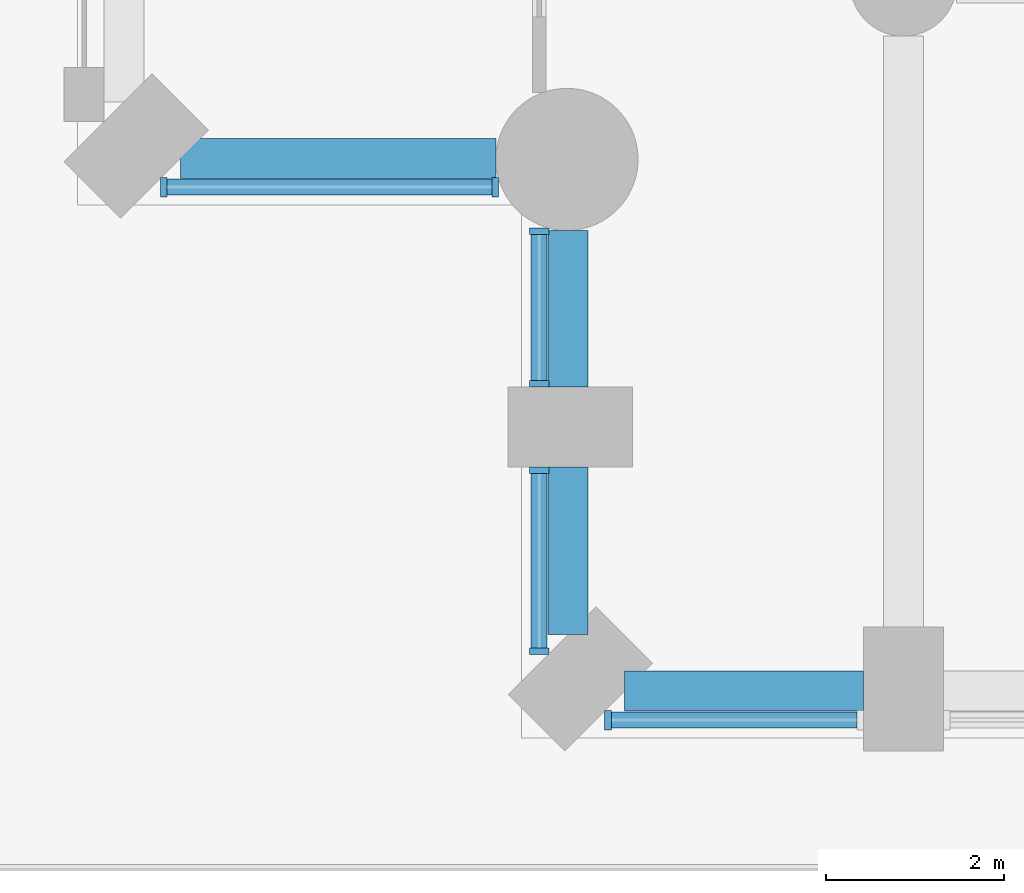
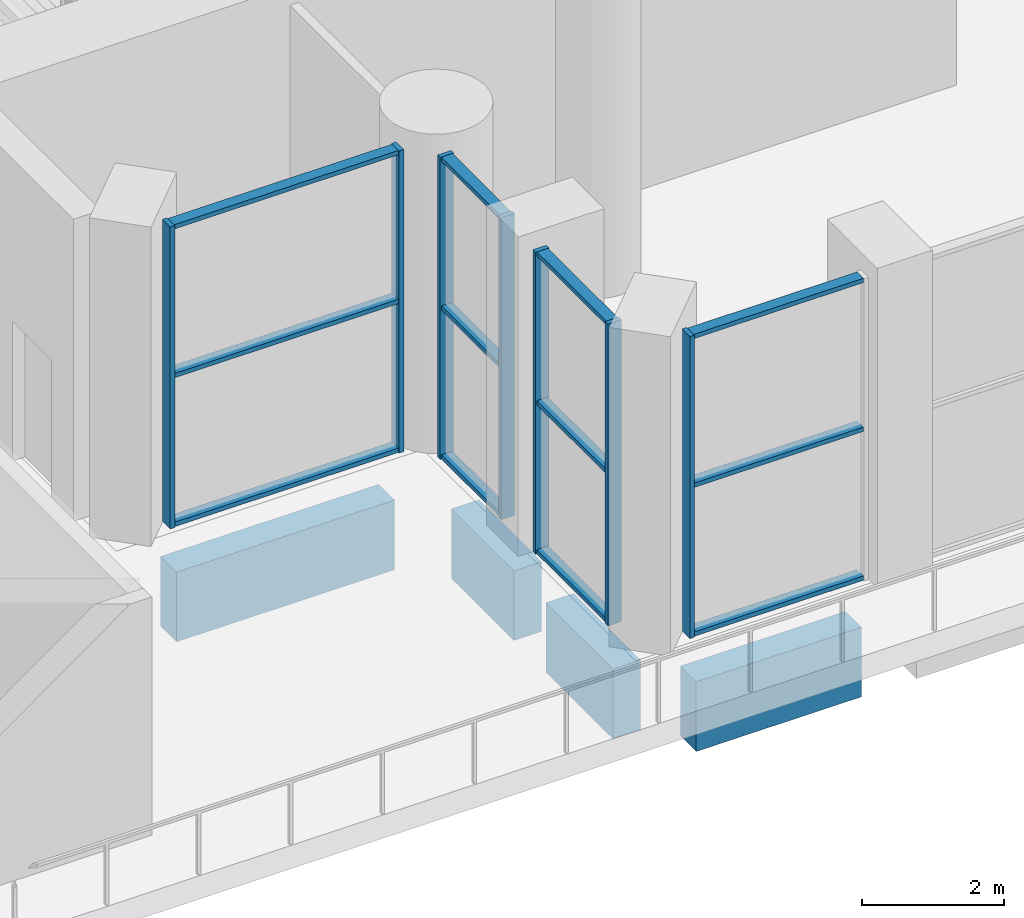
# One storey, part 2 of 26: 19 members, 4 beams, 4 elements without a shape of their own.
"""IFC4 building model written with IfcOpenShell, lengths in metres."""

from ifc_helpers import new_model, si_unit, direction, frame, origin, origin_2d, place, context, subcontext, project, spatial, rectangle, extrude, material, material_profile, profile_set, type_object, element, aggregate, save


model = new_model("IFC4")

# Units and contexts
model_context = context("Model", 3, precision=1e-05, world=origin(), true_north=direction((0.0, 1.0)))
body_context = subcontext(model_context, "Body", "Model", "MODEL_VIEW")
ifc_project = project(units=[si_unit("LENGTHUNIT", "METRE"), si_unit("AREAUNIT", "SQUARE_METRE"), si_unit("VOLUMEUNIT", "CUBIC_METRE"), si_unit("PLANEANGLEUNIT", "RADIAN"), si_unit("MASSUNIT", "GRAM", prefix="KILO")], contexts=[model_context])

# Site, building, storey
site_placement = place(None, origin())
site = spatial("IfcSite", under=ifc_project, at=site_placement, CompositionType="ELEMENT")
building_placement = place(site_placement, origin())
building = spatial("IfcBuilding", under=site, at=building_placement, Name="Cypress Arch Tower", CompositionType="ELEMENT")
storey_placement = place(building_placement, frame((0.0, 0.0, 50.0)))
storey = spatial("IfcBuildingStorey", under=building, at=storey_placement, Name="L06", CompositionType="ELEMENT", Elevation=50.0)

# Curtain wall, members
ifc_material_1 = material(Name="Anodised aluminium, bronze finish, solar control laminated double glazing", Category="aluminium")
curtain_wall_type = type_object("IfcCurtainWallType", Name="Curtain wall CW3 sky lobby glazing", PredefinedType="NOTDEFINED", material=ifc_material_1)
curtain_wall_1_placement = place(storey_placement, origin())
curtain_wall_1 = element("IfcCurtainWall", 1, at=curtain_wall_1_placement, inside=storey, type_object=curtain_wall_type, Name="Curtain wall L06 A01.0.1", PredefinedType="NOTDEFINED")
ifc_material_2 = material(Name="Anodised aluminium, bronze finish", Category="aluminium")
ifc_material_profile_1 = material_profile(ifc_material_2, rectangle(XDim=0.219970703125, YDim=0.074951171875, at=origin_2d()), Name="Mullion 75x220")
ifc_profile_set_1 = profile_set([ifc_material_profile_1], Name="Anodised aluminium, bronze finish")
member_type_1 = type_object("IfcMemberType", Name="Mullion CW3 75x220", PredefinedType="MULLION", material=ifc_profile_set_1)
member_1_placement = place(storey_placement, frame((-29.026123046875, -19.800048828125, 0.0), z_axis=(0.0, 0.0, 1.0), x_axis=(0.0, 1.0, 0.0)))
member_1 = element("IfcMember", 2, at=member_1_placement, type_object=member_type_1, Name="CW3 mullion 1", PredefinedType="MULLION", context=body_context, shape_type="SweptSolid", body=[
    extrude(rectangle(XDim=0.219970703125, YDim=0.074951171875, at=origin_2d()), origin(), (0.0, 0.0, 1.0), 5.199951171875),
])
member_2_placement = place(storey_placement, frame((-25.2958984375, -19.800048828125, 0.0), z_axis=(0.0, 0.0, 1.0), x_axis=(0.0, 1.0, 0.0)))
member_2 = element("IfcMember", 3, at=member_2_placement, type_object=member_type_1, Name="CW3 mullion 2", PredefinedType="MULLION", context=body_context, shape_type="SweptSolid", body=[
    extrude(rectangle(XDim=0.219970703125, YDim=0.074951171875, at=origin_2d()), origin(), (0.0, 0.0, 1.0), 5.199951171875),
])

curtain_wall_2_placement = place(storey_placement, origin())
curtain_wall_2 = element("IfcCurtainWall", 4, at=curtain_wall_2_placement, inside=storey, type_object=curtain_wall_type, Name="Curtain wall L06 A02.0.1", PredefinedType="NOTDEFINED")
member_3_placement = place(storey_placement, frame((-24.800048828125, -20.2958984375, 0.0), z_axis=(0.0, 0.0, 1.0), x_axis=(1.0, 0.0, 0.0)))
member_3 = element("IfcMember", 5, at=member_3_placement, type_object=member_type_1, Name="CW3 mullion 1", PredefinedType="MULLION", context=body_context, shape_type="SweptSolid", body=[
    extrude(rectangle(XDim=0.219970703125, YDim=0.074951171875, at=origin_2d()), origin(), (0.0, 0.0, 1.0), 5.199951171875),
])
member_4_placement = place(storey_placement, frame((-24.800048828125, -22.012451171875, 0.0), z_axis=(0.0, 0.0, 1.0), x_axis=(1.0, 0.0, 0.0)))
member_4 = element("IfcMember", 6, at=member_4_placement, type_object=member_type_1, Name="CW3 mullion 2", PredefinedType="MULLION", context=body_context, shape_type="SweptSolid", body=[
    extrude(rectangle(XDim=0.219970703125, YDim=0.074951171875, at=origin_2d()), origin(), (0.0, 0.0, 1.0), 5.199951171875),
])

curtain_wall_3_placement = place(storey_placement, origin())
curtain_wall_3 = element("IfcCurtainWall", 7, at=curtain_wall_3_placement, inside=storey, type_object=curtain_wall_type, Name="Curtain wall L06 A02.1.1", PredefinedType="NOTDEFINED")
member_5_placement = place(storey_placement, frame((-24.800048828125, -22.987548828125, 0.0), z_axis=(0.0, 0.0, 1.0), x_axis=(1.0, 0.0, 0.0)))
member_5 = element("IfcMember", 8, at=member_5_placement, type_object=member_type_1, Name="CW3 mullion 1", PredefinedType="MULLION", context=body_context, shape_type="SweptSolid", body=[
    extrude(rectangle(XDim=0.219970703125, YDim=0.074951171875, at=origin_2d()), origin(), (0.0, 0.0, 1.0), 5.199951171875),
])
member_6_placement = place(storey_placement, frame((-24.800048828125, -25.026123046875, 0.0), z_axis=(0.0, 0.0, 1.0), x_axis=(1.0, 0.0, 0.0)))
member_6 = element("IfcMember", 9, at=member_6_placement, type_object=member_type_1, Name="CW3 mullion 2", PredefinedType="MULLION", context=body_context, shape_type="SweptSolid", body=[
    extrude(rectangle(XDim=0.219970703125, YDim=0.074951171875, at=origin_2d()), origin(), (0.0, 0.0, 1.0), 5.199951171875),
])

# Curtain wall, member
curtain_wall_4_placement = place(storey_placement, origin())
curtain_wall_4 = element("IfcCurtainWall", 10, at=curtain_wall_4_placement, inside=storey, type_object=curtain_wall_type, Name="Curtain wall L06 A03.0.1", PredefinedType="NOTDEFINED")
member_7_placement = place(storey_placement, frame((-24.026123046875, -25.800048828125, 0.0), z_axis=(0.0, 0.0, 1.0), x_axis=(0.0, 1.0, 0.0)))
member_7 = element("IfcMember", 11, at=member_7_placement, type_object=member_type_1, Name="CW3 mullion 1", PredefinedType="MULLION", context=body_context, shape_type="SweptSolid", body=[
    extrude(rectangle(XDim=0.219970703125, YDim=0.074951171875, at=origin_2d()), origin(), (0.0, 0.0, 1.0), 5.199951171875),
])

# Beams
ifc_material_3 = material(Name="Concrete C50/60", Category="concrete")
ifc_material_profile_2 = material_profile(ifc_material_3, rectangle(XDim=0.449951171875, YDim=1.199951171875, at=origin_2d()), Name="RC 450x1200")
ifc_profile_set_2 = profile_set([ifc_material_profile_2], Name="Concrete C50/60")
beam_type = type_object("IfcBeamType", Name="Spandrel beam RC 450x1200 Concrete C50/60", PredefinedType="SPANDREL", material=ifc_profile_set_2)
beam_1_placement = place(storey_placement, frame((-28.838623046875, -19.47509765625, -1.550048828125), z_axis=(1.0, 0.0, 0.0), x_axis=(0.0, 1.0, 0.0)))
element("IfcBeam", 12, at=beam_1_placement, inside=storey, type_object=beam_type, Name="Spandrel beam L06 BA01-0", PredefinedType="SPANDREL", context=body_context, shape_type="SweptSolid", body=[
    extrude(rectangle(XDim=0.449951171875, YDim=1.199951171875, at=origin_2d()), origin(), (0.0, 0.0, 1.0), 3.551025390625),
])
beam_2_placement = place(storey_placement, frame((-24.47509765625, -20.28759765625, -1.550048828125), z_axis=(0.0, -1.0, 0.0), x_axis=(1.0, 0.0, 0.0)))
element("IfcBeam", 13, at=beam_2_placement, inside=storey, type_object=beam_type, Name="Spandrel beam L06 BA02-0", PredefinedType="SPANDREL", context=body_context, shape_type="SweptSolid", body=[
    extrude(rectangle(XDim=0.449951171875, YDim=1.199951171875, at=origin_2d()), origin(), (0.0, 0.0, 1.0), 1.762451171875),
])
beam_3_placement = place(storey_placement, frame((-24.47509765625, -22.949951171875, -1.550048828125), z_axis=(0.0, -1.0, 0.0), x_axis=(1.0, 0.0, 0.0)))
element("IfcBeam", 14, at=beam_3_placement, inside=storey, type_object=beam_type, Name="Spandrel beam L06 BA02-1", PredefinedType="SPANDREL", context=body_context, shape_type="SweptSolid", body=[
    extrude(rectangle(XDim=0.449951171875, YDim=1.199951171875, at=origin_2d()), origin(), (0.0, 0.0, 1.0), 1.888671875),
])
beam_4_placement = place(storey_placement, frame((-23.838623046875, -25.47509765625, -1.550048828125), z_axis=(1.0, 0.0, 0.0), x_axis=(0.0, 1.0, 0.0)))
element("IfcBeam", 15, at=beam_4_placement, inside=storey, type_object=beam_type, Name="Spandrel beam L06 BA03-0", PredefinedType="SPANDREL", context=body_context, shape_type="SweptSolid", body=[
    extrude(rectangle(XDim=0.449951171875, YDim=1.199951171875, at=origin_2d()), origin(), (0.0, 0.0, 1.0), 2.688720703125),
])

# Member
ifc_material_4 = material(Name="Anodised aluminium, bronze finish", Category="aluminium")
ifc_material_profile_3 = material_profile(ifc_material_4, rectangle(XDim=0.179931640625, YDim=0.074951171875, at=origin_2d()), Name="Transom 75x180")
ifc_profile_set_3 = profile_set([ifc_material_profile_3], Name="Anodised aluminium, bronze finish")
member_type_2 = type_object("IfcMemberType", Name="Transom CW3 75x180", PredefinedType="USERDEFINED", material=ifc_profile_set_3)
member_8_placement = place(storey_placement, frame((-28.988525390625, -19.800048828125, 0.03759765625), z_axis=(1.0, 0.0, 0.0), x_axis=(0.0, 1.0, 0.0)))
member_8 = element("IfcMember", 16, at=member_8_placement, type_object=member_type_2, Name="CW3 transom 1.1", ObjectType="TRANSOM", PredefinedType="USERDEFINED", context=body_context, shape_type="SweptSolid", body=[
    extrude(rectangle(XDim=0.179931640625, YDim=0.074951171875, at=origin_2d()), origin(), (0.0, 0.0, 1.0), 3.655029296875),
])

member_9_placement = place(storey_placement, frame((-28.988525390625, -19.800048828125, 2.60009765625), z_axis=(1.0, 0.0, 0.0), x_axis=(0.0, 1.0, 0.0)))
member_9 = element("IfcMember", 17, at=member_9_placement, type_object=member_type_2, Name="CW3 transom 1.2", ObjectType="TRANSOM", PredefinedType="USERDEFINED", context=body_context, shape_type="SweptSolid", body=[
    extrude(rectangle(XDim=0.179931640625, YDim=0.074951171875, at=origin_2d()), origin(), (0.0, 0.0, 1.0), 3.655029296875),
])

member_10_placement = place(storey_placement, frame((-28.988525390625, -19.800048828125, 5.16259765625), z_axis=(1.0, 0.0, 0.0), x_axis=(0.0, 1.0, 0.0)))
member_10 = element("IfcMember", 18, at=member_10_placement, type_object=member_type_2, Name="CW3 transom 1.3", ObjectType="TRANSOM", PredefinedType="USERDEFINED", context=body_context, shape_type="SweptSolid", body=[
    extrude(rectangle(XDim=0.179931640625, YDim=0.074951171875, at=origin_2d()), origin(), (0.0, 0.0, 1.0), 3.655029296875),
])

aggregate(curtain_wall_1, [member_1, member_2, member_8, member_9, member_10])

member_11_placement = place(storey_placement, frame((-24.800048828125, -20.33349609375, 0.03759765625), z_axis=(0.0, -1.0, 0.0), x_axis=(1.0, 0.0, 0.0)))
member_11 = element("IfcMember", 19, at=member_11_placement, type_object=member_type_2, Name="CW3 transom 1.1", ObjectType="TRANSOM", PredefinedType="USERDEFINED", context=body_context, shape_type="SweptSolid", body=[
    extrude(rectangle(XDim=0.179931640625, YDim=0.074951171875, at=origin_2d()), origin(), (0.0, 0.0, 1.0), 1.6416015625),
])

member_12_placement = place(storey_placement, frame((-24.800048828125, -20.33349609375, 2.60009765625), z_axis=(0.0, -1.0, 0.0), x_axis=(1.0, 0.0, 0.0)))
member_12 = element("IfcMember", 20, at=member_12_placement, type_object=member_type_2, Name="CW3 transom 1.2", ObjectType="TRANSOM", PredefinedType="USERDEFINED", context=body_context, shape_type="SweptSolid", body=[
    extrude(rectangle(XDim=0.179931640625, YDim=0.074951171875, at=origin_2d()), origin(), (0.0, 0.0, 1.0), 1.6416015625),
])

member_13_placement = place(storey_placement, frame((-24.800048828125, -20.33349609375, 5.16259765625), z_axis=(0.0, -1.0, 0.0), x_axis=(1.0, 0.0, 0.0)))
member_13 = element("IfcMember", 21, at=member_13_placement, type_object=member_type_2, Name="CW3 transom 1.3", ObjectType="TRANSOM", PredefinedType="USERDEFINED", context=body_context, shape_type="SweptSolid", body=[
    extrude(rectangle(XDim=0.179931640625, YDim=0.074951171875, at=origin_2d()), origin(), (0.0, 0.0, 1.0), 1.6416015625),
])

aggregate(curtain_wall_2, [member_3, member_4, member_11, member_12, member_13])

member_14_placement = place(storey_placement, frame((-24.800048828125, -23.02490234375, 0.03759765625), z_axis=(0.0, -1.0, 0.0), x_axis=(1.0, 0.0, 0.0)))
member_14 = element("IfcMember", 22, at=member_14_placement, type_object=member_type_2, Name="CW3 transom 1.1", ObjectType="TRANSOM", PredefinedType="USERDEFINED", context=body_context, shape_type="SweptSolid", body=[
    extrude(rectangle(XDim=0.179931640625, YDim=0.074951171875, at=origin_2d()), origin(), (0.0, 0.0, 1.0), 1.963623046875),
])

member_15_placement = place(storey_placement, frame((-24.800048828125, -23.02490234375, 2.60009765625), z_axis=(0.0, -1.0, 0.0), x_axis=(1.0, 0.0, 0.0)))
member_15 = element("IfcMember", 23, at=member_15_placement, type_object=member_type_2, Name="CW3 transom 1.2", ObjectType="TRANSOM", PredefinedType="USERDEFINED", context=body_context, shape_type="SweptSolid", body=[
    extrude(rectangle(XDim=0.179931640625, YDim=0.074951171875, at=origin_2d()), origin(), (0.0, 0.0, 1.0), 1.963623046875),
])

member_16_placement = place(storey_placement, frame((-24.800048828125, -23.02490234375, 5.16259765625), z_axis=(0.0, -1.0, 0.0), x_axis=(1.0, 0.0, 0.0)))
member_16 = element("IfcMember", 24, at=member_16_placement, type_object=member_type_2, Name="CW3 transom 1.3", ObjectType="TRANSOM", PredefinedType="USERDEFINED", context=body_context, shape_type="SweptSolid", body=[
    extrude(rectangle(XDim=0.179931640625, YDim=0.074951171875, at=origin_2d()), origin(), (0.0, 0.0, 1.0), 1.963623046875),
])

aggregate(curtain_wall_3, [member_5, member_6, member_14, member_15, member_16])

member_17_placement = place(storey_placement, frame((-23.988525390625, -25.800048828125, 0.03759765625), z_axis=(1.0, 0.0, 0.0), x_axis=(0.0, 1.0, 0.0)))
member_17 = element("IfcMember", 25, at=member_17_placement, type_object=member_type_2, Name="CW3 transom 1.1", ObjectType="TRANSOM", PredefinedType="USERDEFINED", context=body_context, shape_type="SweptSolid", body=[
    extrude(rectangle(XDim=0.179931640625, YDim=0.074951171875, at=origin_2d()), origin(), (0.0, 0.0, 1.0), 2.763427734375),
])

member_18_placement = place(storey_placement, frame((-23.988525390625, -25.800048828125, 2.60009765625), z_axis=(1.0, 0.0, 0.0), x_axis=(0.0, 1.0, 0.0)))
member_18 = element("IfcMember", 26, at=member_18_placement, type_object=member_type_2, Name="CW3 transom 1.2", ObjectType="TRANSOM", PredefinedType="USERDEFINED", context=body_context, shape_type="SweptSolid", body=[
    extrude(rectangle(XDim=0.179931640625, YDim=0.074951171875, at=origin_2d()), origin(), (0.0, 0.0, 1.0), 2.763427734375),
])

member_19_placement = place(storey_placement, frame((-23.988525390625, -25.800048828125, 5.16259765625), z_axis=(1.0, 0.0, 0.0), x_axis=(0.0, 1.0, 0.0)))
member_19 = element("IfcMember", 27, at=member_19_placement, type_object=member_type_2, Name="CW3 transom 1.3", ObjectType="TRANSOM", PredefinedType="USERDEFINED", context=body_context, shape_type="SweptSolid", body=[
    extrude(rectangle(XDim=0.179931640625, YDim=0.074951171875, at=origin_2d()), origin(), (0.0, 0.0, 1.0), 2.763427734375),
])

aggregate(curtain_wall_4, [member_7, member_17, member_18, member_19])

save(model, "model.ifc")
